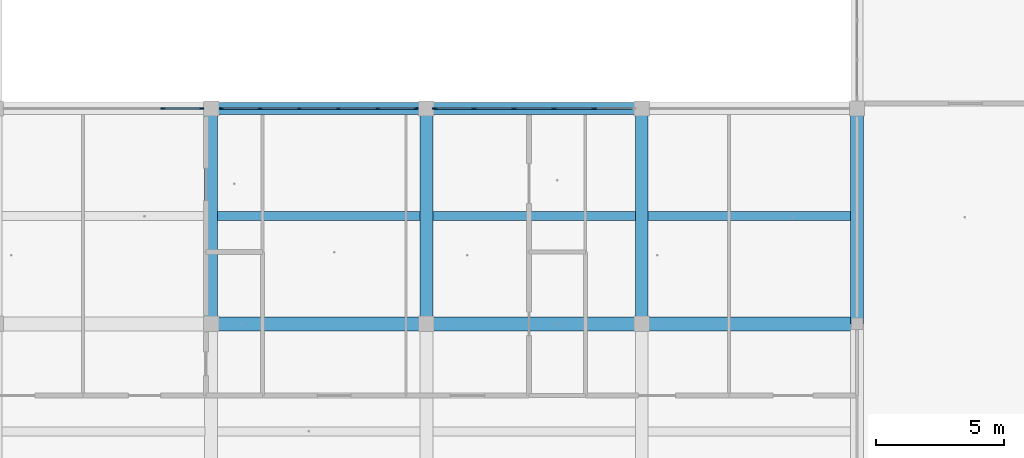
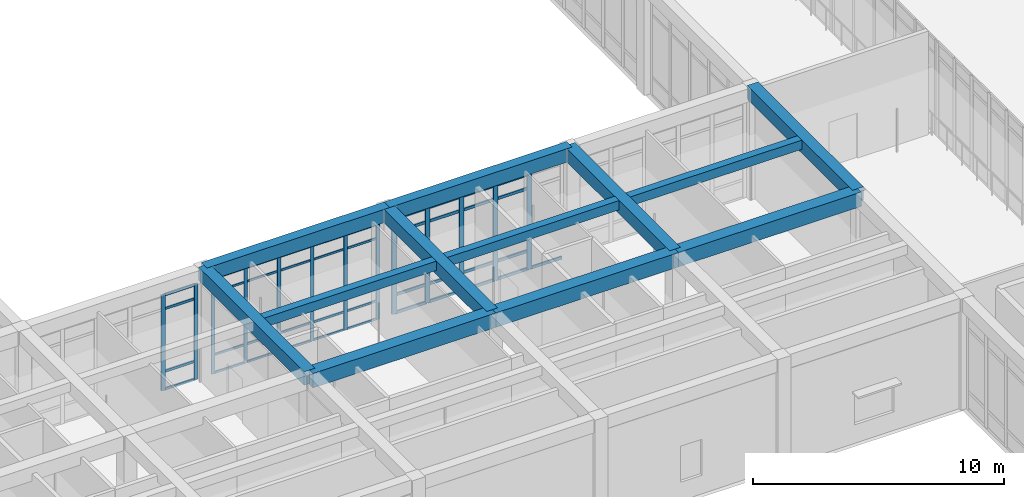
# One storey, part 12 of 157: 54 members, 12 beams, 3 elements without a shape of their own.
"""IFC4 building model written with IfcOpenShell, lengths in metres."""

from ifc_helpers import new_model, si_unit, direction, frame, origin, origin_2d, place, context, subcontext, project, spatial, rectangle, extrude, material, material_profile, profile_set, type_object, element, aggregate, save


model = new_model("IFC4")

# Units and contexts
model_context = context("Model", 3, precision=1e-05, world=origin(), true_north=direction((0.0, 1.0)))
body_context = subcontext(model_context, "Body", "Model", "MODEL_VIEW")
ifc_project = project(units=[si_unit("LENGTHUNIT", "METRE"), si_unit("AREAUNIT", "SQUARE_METRE"), si_unit("VOLUMEUNIT", "CUBIC_METRE"), si_unit("PLANEANGLEUNIT", "RADIAN"), si_unit("MASSUNIT", "GRAM", prefix="KILO")], contexts=[model_context])

# Site, building, storey
site_placement = place(None, origin())
site = spatial("IfcSite", under=ifc_project, at=site_placement, CompositionType="ELEMENT")
building_placement = place(site_placement, origin())
building = spatial("IfcBuilding", under=site, at=building_placement, Name="Varncliffe General Hospital", CompositionType="ELEMENT")
storey_placement = place(building_placement, frame((0.0, 0.0, 5.39990234375)))
storey = spatial("IfcBuildingStorey", under=building, at=storey_placement, Name="L01", CompositionType="ELEMENT", Elevation=5.39990234375)

# Beams
ifc_material_1 = material(Name="Concrete C35/45 (CSA A23.1 35 MPa)", Category="concrete")
ifc_material_profile_1 = material_profile(ifc_material_1, rectangle(XDim=0.5, YDim=0.64990234375, at=origin_2d()), Name="RC 500x650")
ifc_profile_set_1 = profile_set([ifc_material_profile_1], Name="Concrete C35/45 (CSA A23.1 35 MPa)")
beam_type_1 = type_object("IfcBeamType", Name="Beam B29 (Int RC 500x650)", PredefinedType="BEAM", material=ifc_profile_set_1)
for number, where, z_axis, x_axis, name in (
    (1, (33.60009765625, 32.39990234375, 5.0751953125), (0.0, 1.0, 0.0), (-1.0, 0.0, 0.0), "L01 Primary Beam B29-327"),
    (2, (42.0, 32.39990234375, 5.0751953125), (0.0, 1.0, 0.0), (-1.0, 0.0, 0.0), "L01 Primary Beam B29-336"),
    (3, (50.39990234375, 32.39990234375, 5.0751953125), (0.0, 1.0, 0.0), (-1.0, 0.0, 0.0), "L01 Primary Beam B29-345"),
    (4, (58.800048828125, 32.39990234375, 5.0751953125), (0.0, 1.0, 0.0), (-1.0, 0.0, 0.0), "L01 Primary Beam B29-356"),
):
    element("IfcBeam", number, at=place(storey_placement, frame(where, z_axis=z_axis, x_axis=x_axis)), inside=storey, type_object=beam_type_1, Name=name, PredefinedType="BEAM", context=body_context, shape_type="SweptSolid", body=[
        extrude(rectangle(XDim=0.5, YDim=0.64990234375, at=origin_2d()), origin(), (0.0, 0.0, 1.0), 8.400146484375),
    ])
ifc_material_profile_2 = material_profile(ifc_material_1, rectangle(XDim=0.550048828125, YDim=0.699951171875, at=origin_2d()), Name="RC 550x700")
ifc_profile_set_2 = profile_set([ifc_material_profile_2], Name="Concrete C35/45 (CSA A23.1 35 MPa)")
beam_type_2 = type_object("IfcBeamType", Name="Beam B35 (Int RC 550x700)", PredefinedType="BEAM", material=ifc_profile_set_2)
for number, where, z_axis, x_axis, name in (
    (5, (33.60009765625, 32.39990234375, 5.050048828125), (1.0, 0.0, 0.0), (0.0, 1.0, 0.0), "L01 Primary Beam B35-44"),
    (6, (42.0, 32.39990234375, 5.050048828125), (1.0, 0.0, 0.0), (0.0, 1.0, 0.0), "L01 Primary Beam B35-45"),
):
    element("IfcBeam", number, at=place(storey_placement, frame(where, z_axis=z_axis, x_axis=x_axis)), inside=storey, type_object=beam_type_2, Name=name, PredefinedType="BEAM", context=body_context, shape_type="SweptSolid", body=[
        extrude(rectangle(XDim=0.550048828125, YDim=0.699951171875, at=origin_2d()), origin(), (0.0, 0.0, 1.0), 8.39990234375),
    ])
beam_placement = place(storey_placement, frame((50.39990234375, 32.39990234375, 5.050048828125), z_axis=(1.0, 0.0, 0.0), x_axis=(0.0, 1.0, 0.0)))
element("IfcBeam", 7, at=beam_placement, inside=storey, type_object=beam_type_2, Name="L01 Primary Beam B35-46", PredefinedType="BEAM", context=body_context, shape_type="SweptSolid", body=[
    extrude(rectangle(XDim=0.550048828125, YDim=0.699951171875, at=origin_2d()), origin(), (0.0, 0.0, 1.0), 8.400146484375),
])

# Curtain wall, members
ifc_material_2 = material(Name="Triple low-E argon insulated vision glazing", Category="glass")
curtain_wall_type_1 = type_object("IfcCurtainWallType", Name="Unitised Glazed Curtain Wall CW70 (7724x4640)", PredefinedType="USERDEFINED", material=ifc_material_2)
curtain_wall_1_placement = place(storey_placement, origin())
curtain_wall_1 = element("IfcCurtainWall", 8, at=curtain_wall_1_placement, inside=storey, type_object=curtain_wall_type_1, Name="L01 Glazed Curtain Wall CW70-82", ObjectType="GLAZED CURTAIN WALL", PredefinedType="USERDEFINED")
ifc_material_3 = material(Name="Dark bronze thermally broken aluminium framing", Category="aluminium")
ifc_material_profile_3 = material_profile(ifc_material_3, rectangle(XDim=0.074951171875, YDim=0.179931640625, at=origin_2d()), Name="ALU 75x180")
ifc_profile_set_3 = profile_set([ifc_material_profile_3], Name="Dark bronze thermally broken aluminium framing")
member_type_1 = type_object("IfcMemberType", Name="Curtain Wall Mullion CM44 (ALU 75x180)", PredefinedType="MULLION", material=ifc_profile_set_3)
member_1_placement = place(storey_placement, frame((31.71728515625, 40.800048828125, 0.0), z_axis=(0.0, 0.0, 1.0), x_axis=(0.0, 1.0, 0.0)))
member_1 = element("IfcMember", 9, at=member_1_placement, type_object=member_type_1, Name="CW70 mullion 5", PredefinedType="MULLION", context=body_context, shape_type="SweptSolid", body=[
    extrude(rectangle(XDim=0.074951171875, YDim=0.179931640625, at=origin_2d()), origin(), (0.0, 0.0, 1.0), 4.64013671875),
])
member_2_placement = place(storey_placement, frame((33.224609375, 40.800048828125, 0.0), z_axis=(0.0, 0.0, 1.0), x_axis=(0.0, 1.0, 0.0)))
member_2 = element("IfcMember", 10, at=member_2_placement, type_object=member_type_1, Name="CW70 mullion 6", PredefinedType="MULLION", context=body_context, shape_type="SweptSolid", body=[
    extrude(rectangle(XDim=0.074951171875, YDim=0.179931640625, at=origin_2d()), origin(), (0.0, 0.0, 1.0), 4.64013671875),
])

curtain_wall_type_2 = type_object("IfcCurtainWallType", Name="Unitised Glazed Curtain Wall CW27 (7644x4640)", PredefinedType="USERDEFINED", material=ifc_material_2)
curtain_wall_2_placement = place(storey_placement, origin())
curtain_wall_2 = element("IfcCurtainWall", 11, at=curtain_wall_2_placement, inside=storey, type_object=curtain_wall_type_2, Name="L01 Glazed Curtain Wall CW27-83", ObjectType="GLAZED CURTAIN WALL", PredefinedType="USERDEFINED")
ifc_material_profile_4 = material_profile(ifc_material_3, rectangle(XDim=0.06494140625, YDim=0.159912109375, at=origin_2d()), Name="ALU 65x160")
ifc_profile_set_4 = profile_set([ifc_material_profile_4], Name="Dark bronze thermally broken aluminium framing")
member_type_2 = type_object("IfcMemberType", Name="Curtain Wall Mullion CM65 (ALU 65x160)", PredefinedType="MULLION", material=ifc_profile_set_4)
member_3_placement = place(storey_placement, frame((34.010498046875, 40.800048828125, 0.0), z_axis=(0.0, 0.0, 1.0), x_axis=(0.0, 1.0, 0.0)))
member_3 = element("IfcMember", 12, at=member_3_placement, type_object=member_type_2, Name="CW27 mullion 1", PredefinedType="MULLION", context=body_context, shape_type="SweptSolid", body=[
    extrude(rectangle(XDim=0.06494140625, YDim=0.159912109375, at=origin_2d()), origin(), (0.0, 0.0, 1.0), 4.64013671875),
])
member_4_placement = place(storey_placement, frame((35.5068359375, 40.800048828125, 0.0), z_axis=(0.0, 0.0, 1.0), x_axis=(0.0, 1.0, 0.0)))
member_4 = element("IfcMember", 13, at=member_4_placement, type_object=member_type_2, Name="CW27 mullion 2", PredefinedType="MULLION", context=body_context, shape_type="SweptSolid", body=[
    extrude(rectangle(XDim=0.06494140625, YDim=0.159912109375, at=origin_2d()), origin(), (0.0, 0.0, 1.0), 4.64013671875),
])
member_5_placement = place(storey_placement, frame((37.03564453125, 40.800048828125, 0.0), z_axis=(0.0, 0.0, 1.0), x_axis=(0.0, 1.0, 0.0)))
member_5 = element("IfcMember", 14, at=member_5_placement, type_object=member_type_2, Name="CW27 mullion 3", PredefinedType="MULLION", context=body_context, shape_type="SweptSolid", body=[
    extrude(rectangle(XDim=0.06494140625, YDim=0.159912109375, at=origin_2d()), origin(), (0.0, 0.0, 1.0), 4.64013671875),
])
member_6_placement = place(storey_placement, frame((38.564453125, 40.800048828125, 0.0), z_axis=(0.0, 0.0, 1.0), x_axis=(0.0, 1.0, 0.0)))
member_6 = element("IfcMember", 15, at=member_6_placement, type_object=member_type_2, Name="CW27 mullion 4", PredefinedType="MULLION", context=body_context, shape_type="SweptSolid", body=[
    extrude(rectangle(XDim=0.06494140625, YDim=0.159912109375, at=origin_2d()), origin(), (0.0, 0.0, 1.0), 4.64013671875),
])
member_7_placement = place(storey_placement, frame((40.09326171875, 40.800048828125, 0.0), z_axis=(0.0, 0.0, 1.0), x_axis=(0.0, 1.0, 0.0)))
member_7 = element("IfcMember", 16, at=member_7_placement, type_object=member_type_2, Name="CW27 mullion 5", PredefinedType="MULLION", context=body_context, shape_type="SweptSolid", body=[
    extrude(rectangle(XDim=0.06494140625, YDim=0.159912109375, at=origin_2d()), origin(), (0.0, 0.0, 1.0), 4.64013671875),
])
member_8_placement = place(storey_placement, frame((41.589599609375, 40.800048828125, 0.0), z_axis=(0.0, 0.0, 1.0), x_axis=(0.0, 1.0, 0.0)))
member_8 = element("IfcMember", 17, at=member_8_placement, type_object=member_type_2, Name="CW27 mullion 6", PredefinedType="MULLION", context=body_context, shape_type="SweptSolid", body=[
    extrude(rectangle(XDim=0.06494140625, YDim=0.159912109375, at=origin_2d()), origin(), (0.0, 0.0, 1.0), 4.64013671875),
])

curtain_wall_type_3 = type_object("IfcCurtainWallType", Name="Unitised Glazed Curtain Wall CW85 (7804x4640)", PredefinedType="USERDEFINED", material=ifc_material_2)
curtain_wall_3_placement = place(storey_placement, origin())
curtain_wall_3 = element("IfcCurtainWall", 18, at=curtain_wall_3_placement, inside=storey, type_object=curtain_wall_type_3, Name="L01 Glazed Curtain Wall CW85-84", ObjectType="GLAZED CURTAIN WALL", PredefinedType="USERDEFINED")
ifc_material_profile_5 = material_profile(ifc_material_3, rectangle(XDim=0.074951171875, YDim=0.219970703125, at=origin_2d()), Name="ALU 75x220")
ifc_profile_set_5 = profile_set([ifc_material_profile_5], Name="Dark bronze thermally broken aluminium framing")
member_type_3 = type_object("IfcMemberType", Name="Curtain Wall Mullion CM74 (ALU 75x220)", PredefinedType="MULLION", material=ifc_profile_set_5)
member_9_placement = place(storey_placement, frame((42.33544921875, 40.800048828125, 0.0), z_axis=(0.0, 0.0, 1.0), x_axis=(0.0, 1.0, 0.0)))
member_9 = element("IfcMember", 19, at=member_9_placement, type_object=member_type_3, Name="CW85 mullion 1", PredefinedType="MULLION", context=body_context, shape_type="SweptSolid", body=[
    extrude(rectangle(XDim=0.074951171875, YDim=0.219970703125, at=origin_2d()), origin(), (0.0, 0.0, 1.0), 4.64013671875),
])
member_10_placement = place(storey_placement, frame((43.85888671875, 40.800048828125, 0.0), z_axis=(0.0, 0.0, 1.0), x_axis=(0.0, 1.0, 0.0)))
member_10 = element("IfcMember", 20, at=member_10_placement, type_object=member_type_3, Name="CW85 mullion 2", PredefinedType="MULLION", context=body_context, shape_type="SweptSolid", body=[
    extrude(rectangle(XDim=0.074951171875, YDim=0.219970703125, at=origin_2d()), origin(), (0.0, 0.0, 1.0), 4.64013671875),
])
member_11_placement = place(storey_placement, frame((45.419677734375, 40.800048828125, 0.0), z_axis=(0.0, 0.0, 1.0), x_axis=(0.0, 1.0, 0.0)))
member_11 = element("IfcMember", 21, at=member_11_placement, type_object=member_type_3, Name="CW85 mullion 3", PredefinedType="MULLION", context=body_context, shape_type="SweptSolid", body=[
    extrude(rectangle(XDim=0.074951171875, YDim=0.219970703125, at=origin_2d()), origin(), (0.0, 0.0, 1.0), 4.64013671875),
])
member_12_placement = place(storey_placement, frame((46.98046875, 40.800048828125, 0.0), z_axis=(0.0, 0.0, 1.0), x_axis=(0.0, 1.0, 0.0)))
member_12 = element("IfcMember", 22, at=member_12_placement, type_object=member_type_3, Name="CW85 mullion 4", PredefinedType="MULLION", context=body_context, shape_type="SweptSolid", body=[
    extrude(rectangle(XDim=0.074951171875, YDim=0.219970703125, at=origin_2d()), origin(), (0.0, 0.0, 1.0), 4.64013671875),
])
member_13_placement = place(storey_placement, frame((48.541259765625, 40.800048828125, 0.0), z_axis=(0.0, 0.0, 1.0), x_axis=(0.0, 1.0, 0.0)))
member_13 = element("IfcMember", 23, at=member_13_placement, type_object=member_type_3, Name="CW85 mullion 5", PredefinedType="MULLION", context=body_context, shape_type="SweptSolid", body=[
    extrude(rectangle(XDim=0.074951171875, YDim=0.219970703125, at=origin_2d()), origin(), (0.0, 0.0, 1.0), 4.64013671875),
])

# Member
ifc_material_profile_6 = material_profile(ifc_material_3, rectangle(XDim=0.06005859375, YDim=0.1201171875, at=origin_2d()), Name="ALU 60x120")
ifc_profile_set_6 = profile_set([ifc_material_profile_6], Name="Dark bronze thermally broken aluminium framing")
member_type_4 = type_object("IfcMemberType", Name="Curtain Wall Transom CT14 (ALU 60x120)", PredefinedType="USERDEFINED", material=ifc_profile_set_6)
member_14_placement = place(storey_placement, frame((31.754638671875, 40.800048828125, 0.030029296875), z_axis=(1.0, 0.0, 0.0), x_axis=(0.0, 1.0, 0.0)))
member_14 = element("IfcMember", 24, at=member_14_placement, type_object=member_type_4, Name="CW70 transom 5.1", ObjectType="TRANSOM", PredefinedType="USERDEFINED", context=body_context, shape_type="SweptSolid", body=[
    extrude(rectangle(XDim=0.06005859375, YDim=0.1201171875, at=origin_2d()), origin(), (0.0, 0.0, 1.0), 1.432373046875),
])

member_15_placement = place(storey_placement, frame((31.754638671875, 40.800048828125, 0.900146484375), z_axis=(1.0, 0.0, 0.0), x_axis=(0.0, 1.0, 0.0)))
member_15 = element("IfcMember", 25, at=member_15_placement, type_object=member_type_4, Name="CW70 transom 5.2", ObjectType="TRANSOM", PredefinedType="USERDEFINED", context=body_context, shape_type="SweptSolid", body=[
    extrude(rectangle(XDim=0.06005859375, YDim=0.1201171875, at=origin_2d()), origin(), (0.0, 0.0, 1.0), 1.432373046875),
])

member_16_placement = place(storey_placement, frame((31.754638671875, 40.800048828125, 3.940185546875), z_axis=(1.0, 0.0, 0.0), x_axis=(0.0, 1.0, 0.0)))
member_16 = element("IfcMember", 26, at=member_16_placement, type_object=member_type_4, Name="CW70 transom 5.3", ObjectType="TRANSOM", PredefinedType="USERDEFINED", context=body_context, shape_type="SweptSolid", body=[
    extrude(rectangle(XDim=0.06005859375, YDim=0.1201171875, at=origin_2d()), origin(), (0.0, 0.0, 1.0), 1.432373046875),
])

member_17_placement = place(storey_placement, frame((31.754638671875, 40.800048828125, 4.610107421875), z_axis=(1.0, 0.0, 0.0), x_axis=(0.0, 1.0, 0.0)))
member_17 = element("IfcMember", 27, at=member_17_placement, type_object=member_type_4, Name="CW70 transom 5.4", ObjectType="TRANSOM", PredefinedType="USERDEFINED", context=body_context, shape_type="SweptSolid", body=[
    extrude(rectangle(XDim=0.06005859375, YDim=0.1201171875, at=origin_2d()), origin(), (0.0, 0.0, 1.0), 1.432373046875),
])

aggregate(curtain_wall_1, [member_1, member_2, member_14, member_15, member_16, member_17])

ifc_material_profile_7 = material_profile(ifc_material_3, rectangle(XDim=0.06005859375, YDim=0.10009765625, at=origin_2d()), Name="ALU 60x100")
ifc_profile_set_7 = profile_set([ifc_material_profile_7], Name="Dark bronze thermally broken aluminium framing")
member_type_5 = type_object("IfcMemberType", Name="Curtain Wall Transom CT18 (ALU 60x100)", PredefinedType="USERDEFINED", material=ifc_profile_set_7)
member_18_placement = place(storey_placement, frame((34.04296875, 40.800048828125, 0.030029296875), z_axis=(1.0, 0.0, 0.0), x_axis=(0.0, 1.0, 0.0)))
member_18 = element("IfcMember", 28, at=member_18_placement, type_object=member_type_5, Name="CW27 transom 1.1", ObjectType="TRANSOM", PredefinedType="USERDEFINED", context=body_context, shape_type="SweptSolid", body=[
    extrude(rectangle(XDim=0.06005859375, YDim=0.10009765625, at=origin_2d()), origin(), (0.0, 0.0, 1.0), 1.431396484375),
])

member_19_placement = place(storey_placement, frame((34.04296875, 40.800048828125, 0.900146484375), z_axis=(1.0, 0.0, 0.0), x_axis=(0.0, 1.0, 0.0)))
member_19 = element("IfcMember", 29, at=member_19_placement, type_object=member_type_5, Name="CW27 transom 1.2", ObjectType="TRANSOM", PredefinedType="USERDEFINED", context=body_context, shape_type="SweptSolid", body=[
    extrude(rectangle(XDim=0.06005859375, YDim=0.10009765625, at=origin_2d()), origin(), (0.0, 0.0, 1.0), 1.431396484375),
])

member_20_placement = place(storey_placement, frame((34.04296875, 40.800048828125, 3.940185546875), z_axis=(1.0, 0.0, 0.0), x_axis=(0.0, 1.0, 0.0)))
member_20 = element("IfcMember", 30, at=member_20_placement, type_object=member_type_5, Name="CW27 transom 1.3", ObjectType="TRANSOM", PredefinedType="USERDEFINED", context=body_context, shape_type="SweptSolid", body=[
    extrude(rectangle(XDim=0.06005859375, YDim=0.10009765625, at=origin_2d()), origin(), (0.0, 0.0, 1.0), 1.431396484375),
])

member_21_placement = place(storey_placement, frame((34.04296875, 40.800048828125, 4.610107421875), z_axis=(1.0, 0.0, 0.0), x_axis=(0.0, 1.0, 0.0)))
member_21 = element("IfcMember", 31, at=member_21_placement, type_object=member_type_5, Name="CW27 transom 1.4", ObjectType="TRANSOM", PredefinedType="USERDEFINED", context=body_context, shape_type="SweptSolid", body=[
    extrude(rectangle(XDim=0.06005859375, YDim=0.10009765625, at=origin_2d()), origin(), (0.0, 0.0, 1.0), 1.431396484375),
])

member_22_placement = place(storey_placement, frame((35.539306640625, 40.800048828125, 0.030029296875), z_axis=(1.0, 0.0, 0.0), x_axis=(0.0, 1.0, 0.0)))
member_22 = element("IfcMember", 32, at=member_22_placement, type_object=member_type_5, Name="CW27 transom 2.1", ObjectType="TRANSOM", PredefinedType="USERDEFINED", context=body_context, shape_type="SweptSolid", body=[
    extrude(rectangle(XDim=0.06005859375, YDim=0.10009765625, at=origin_2d()), origin(), (0.0, 0.0, 1.0), 1.4638671875),
])

member_23_placement = place(storey_placement, frame((35.539306640625, 40.800048828125, 0.900146484375), z_axis=(1.0, 0.0, 0.0), x_axis=(0.0, 1.0, 0.0)))
member_23 = element("IfcMember", 33, at=member_23_placement, type_object=member_type_5, Name="CW27 transom 2.2", ObjectType="TRANSOM", PredefinedType="USERDEFINED", context=body_context, shape_type="SweptSolid", body=[
    extrude(rectangle(XDim=0.06005859375, YDim=0.10009765625, at=origin_2d()), origin(), (0.0, 0.0, 1.0), 1.4638671875),
])

member_24_placement = place(storey_placement, frame((35.539306640625, 40.800048828125, 3.940185546875), z_axis=(1.0, 0.0, 0.0), x_axis=(0.0, 1.0, 0.0)))
member_24 = element("IfcMember", 34, at=member_24_placement, type_object=member_type_5, Name="CW27 transom 2.3", ObjectType="TRANSOM", PredefinedType="USERDEFINED", context=body_context, shape_type="SweptSolid", body=[
    extrude(rectangle(XDim=0.06005859375, YDim=0.10009765625, at=origin_2d()), origin(), (0.0, 0.0, 1.0), 1.4638671875),
])

member_25_placement = place(storey_placement, frame((35.539306640625, 40.800048828125, 4.610107421875), z_axis=(1.0, 0.0, 0.0), x_axis=(0.0, 1.0, 0.0)))
member_25 = element("IfcMember", 35, at=member_25_placement, type_object=member_type_5, Name="CW27 transom 2.4", ObjectType="TRANSOM", PredefinedType="USERDEFINED", context=body_context, shape_type="SweptSolid", body=[
    extrude(rectangle(XDim=0.06005859375, YDim=0.10009765625, at=origin_2d()), origin(), (0.0, 0.0, 1.0), 1.4638671875),
])

member_26_placement = place(storey_placement, frame((37.068115234375, 40.800048828125, 0.030029296875), z_axis=(1.0, 0.0, 0.0), x_axis=(0.0, 1.0, 0.0)))
member_26 = element("IfcMember", 36, at=member_26_placement, type_object=member_type_5, Name="CW27 transom 3.1", ObjectType="TRANSOM", PredefinedType="USERDEFINED", context=body_context, shape_type="SweptSolid", body=[
    extrude(rectangle(XDim=0.06005859375, YDim=0.10009765625, at=origin_2d()), origin(), (0.0, 0.0, 1.0), 1.4638671875),
])

member_27_placement = place(storey_placement, frame((37.068115234375, 40.800048828125, 0.900146484375), z_axis=(1.0, 0.0, 0.0), x_axis=(0.0, 1.0, 0.0)))
member_27 = element("IfcMember", 37, at=member_27_placement, type_object=member_type_5, Name="CW27 transom 3.2", ObjectType="TRANSOM", PredefinedType="USERDEFINED", context=body_context, shape_type="SweptSolid", body=[
    extrude(rectangle(XDim=0.06005859375, YDim=0.10009765625, at=origin_2d()), origin(), (0.0, 0.0, 1.0), 1.4638671875),
])

member_28_placement = place(storey_placement, frame((37.068115234375, 40.800048828125, 3.940185546875), z_axis=(1.0, 0.0, 0.0), x_axis=(0.0, 1.0, 0.0)))
member_28 = element("IfcMember", 38, at=member_28_placement, type_object=member_type_5, Name="CW27 transom 3.3", ObjectType="TRANSOM", PredefinedType="USERDEFINED", context=body_context, shape_type="SweptSolid", body=[
    extrude(rectangle(XDim=0.06005859375, YDim=0.10009765625, at=origin_2d()), origin(), (0.0, 0.0, 1.0), 1.4638671875),
])

member_29_placement = place(storey_placement, frame((37.068115234375, 40.800048828125, 4.610107421875), z_axis=(1.0, 0.0, 0.0), x_axis=(0.0, 1.0, 0.0)))
member_29 = element("IfcMember", 39, at=member_29_placement, type_object=member_type_5, Name="CW27 transom 3.4", ObjectType="TRANSOM", PredefinedType="USERDEFINED", context=body_context, shape_type="SweptSolid", body=[
    extrude(rectangle(XDim=0.06005859375, YDim=0.10009765625, at=origin_2d()), origin(), (0.0, 0.0, 1.0), 1.4638671875),
])

member_30_placement = place(storey_placement, frame((38.596923828125, 40.800048828125, 0.030029296875), z_axis=(1.0, 0.0, 0.0), x_axis=(0.0, 1.0, 0.0)))
member_30 = element("IfcMember", 40, at=member_30_placement, type_object=member_type_5, Name="CW27 transom 4.1", ObjectType="TRANSOM", PredefinedType="USERDEFINED", context=body_context, shape_type="SweptSolid", body=[
    extrude(rectangle(XDim=0.06005859375, YDim=0.10009765625, at=origin_2d()), origin(), (0.0, 0.0, 1.0), 1.4638671875),
])

member_31_placement = place(storey_placement, frame((38.596923828125, 40.800048828125, 0.900146484375), z_axis=(1.0, 0.0, 0.0), x_axis=(0.0, 1.0, 0.0)))
member_31 = element("IfcMember", 41, at=member_31_placement, type_object=member_type_5, Name="CW27 transom 4.2", ObjectType="TRANSOM", PredefinedType="USERDEFINED", context=body_context, shape_type="SweptSolid", body=[
    extrude(rectangle(XDim=0.06005859375, YDim=0.10009765625, at=origin_2d()), origin(), (0.0, 0.0, 1.0), 1.4638671875),
])

member_32_placement = place(storey_placement, frame((38.596923828125, 40.800048828125, 3.940185546875), z_axis=(1.0, 0.0, 0.0), x_axis=(0.0, 1.0, 0.0)))
member_32 = element("IfcMember", 42, at=member_32_placement, type_object=member_type_5, Name="CW27 transom 4.3", ObjectType="TRANSOM", PredefinedType="USERDEFINED", context=body_context, shape_type="SweptSolid", body=[
    extrude(rectangle(XDim=0.06005859375, YDim=0.10009765625, at=origin_2d()), origin(), (0.0, 0.0, 1.0), 1.4638671875),
])

member_33_placement = place(storey_placement, frame((38.596923828125, 40.800048828125, 4.610107421875), z_axis=(1.0, 0.0, 0.0), x_axis=(0.0, 1.0, 0.0)))
member_33 = element("IfcMember", 43, at=member_33_placement, type_object=member_type_5, Name="CW27 transom 4.4", ObjectType="TRANSOM", PredefinedType="USERDEFINED", context=body_context, shape_type="SweptSolid", body=[
    extrude(rectangle(XDim=0.06005859375, YDim=0.10009765625, at=origin_2d()), origin(), (0.0, 0.0, 1.0), 1.4638671875),
])

member_34_placement = place(storey_placement, frame((40.125732421875, 40.800048828125, 0.030029296875), z_axis=(1.0, 0.0, 0.0), x_axis=(0.0, 1.0, 0.0)))
member_34 = element("IfcMember", 44, at=member_34_placement, type_object=member_type_5, Name="CW27 transom 5.1", ObjectType="TRANSOM", PredefinedType="USERDEFINED", context=body_context, shape_type="SweptSolid", body=[
    extrude(rectangle(XDim=0.06005859375, YDim=0.10009765625, at=origin_2d()), origin(), (0.0, 0.0, 1.0), 1.43115234375),
])

member_35_placement = place(storey_placement, frame((40.125732421875, 40.800048828125, 0.900146484375), z_axis=(1.0, 0.0, 0.0), x_axis=(0.0, 1.0, 0.0)))
member_35 = element("IfcMember", 45, at=member_35_placement, type_object=member_type_5, Name="CW27 transom 5.2", ObjectType="TRANSOM", PredefinedType="USERDEFINED", context=body_context, shape_type="SweptSolid", body=[
    extrude(rectangle(XDim=0.06005859375, YDim=0.10009765625, at=origin_2d()), origin(), (0.0, 0.0, 1.0), 1.43115234375),
])

member_36_placement = place(storey_placement, frame((40.125732421875, 40.800048828125, 3.940185546875), z_axis=(1.0, 0.0, 0.0), x_axis=(0.0, 1.0, 0.0)))
member_36 = element("IfcMember", 46, at=member_36_placement, type_object=member_type_5, Name="CW27 transom 5.3", ObjectType="TRANSOM", PredefinedType="USERDEFINED", context=body_context, shape_type="SweptSolid", body=[
    extrude(rectangle(XDim=0.06005859375, YDim=0.10009765625, at=origin_2d()), origin(), (0.0, 0.0, 1.0), 1.43115234375),
])

member_37_placement = place(storey_placement, frame((40.125732421875, 40.800048828125, 4.610107421875), z_axis=(1.0, 0.0, 0.0), x_axis=(0.0, 1.0, 0.0)))
member_37 = element("IfcMember", 47, at=member_37_placement, type_object=member_type_5, Name="CW27 transom 5.4", ObjectType="TRANSOM", PredefinedType="USERDEFINED", context=body_context, shape_type="SweptSolid", body=[
    extrude(rectangle(XDim=0.06005859375, YDim=0.10009765625, at=origin_2d()), origin(), (0.0, 0.0, 1.0), 1.43115234375),
])

aggregate(curtain_wall_2, [member_3, member_4, member_5, member_6, member_7, member_8, member_18, member_19, member_20, member_21, member_22, member_23, member_24, member_25, member_26, member_27, member_28, member_29, member_30, member_31, member_32, member_33, member_34, member_35, member_36, member_37])

ifc_material_profile_8 = material_profile(ifc_material_3, rectangle(XDim=0.06494140625, YDim=0.139892578125, at=origin_2d()), Name="ALU 65x140")
ifc_profile_set_8 = profile_set([ifc_material_profile_8], Name="Dark bronze thermally broken aluminium framing")
member_type_6 = type_object("IfcMemberType", Name="Curtain Wall Transom CT69 (ALU 65x140)", PredefinedType="USERDEFINED", material=ifc_profile_set_8)
member_38_placement = place(storey_placement, frame((42.373046875, 40.800048828125, 0.03271484375), z_axis=(1.0, 0.0, 0.0), x_axis=(0.0, 1.0, 0.0)))
member_38 = element("IfcMember", 48, at=member_38_placement, type_object=member_type_6, Name="CW85 transom 1.1", ObjectType="TRANSOM", PredefinedType="USERDEFINED", context=body_context, shape_type="SweptSolid", body=[
    extrude(rectangle(XDim=0.06494140625, YDim=0.139892578125, at=origin_2d()), origin(), (0.0, 0.0, 1.0), 1.4482421875),
])

member_39_placement = place(storey_placement, frame((42.373046875, 40.800048828125, 0.900146484375), z_axis=(1.0, 0.0, 0.0), x_axis=(0.0, 1.0, 0.0)))
member_39 = element("IfcMember", 49, at=member_39_placement, type_object=member_type_6, Name="CW85 transom 1.2", ObjectType="TRANSOM", PredefinedType="USERDEFINED", context=body_context, shape_type="SweptSolid", body=[
    extrude(rectangle(XDim=0.06494140625, YDim=0.139892578125, at=origin_2d()), origin(), (0.0, 0.0, 1.0), 1.4482421875),
])

member_40_placement = place(storey_placement, frame((42.373046875, 40.800048828125, 3.940185546875), z_axis=(1.0, 0.0, 0.0), x_axis=(0.0, 1.0, 0.0)))
member_40 = element("IfcMember", 50, at=member_40_placement, type_object=member_type_6, Name="CW85 transom 1.3", ObjectType="TRANSOM", PredefinedType="USERDEFINED", context=body_context, shape_type="SweptSolid", body=[
    extrude(rectangle(XDim=0.06494140625, YDim=0.139892578125, at=origin_2d()), origin(), (0.0, 0.0, 1.0), 1.4482421875),
])

member_41_placement = place(storey_placement, frame((42.373046875, 40.800048828125, 4.607666015625), z_axis=(1.0, 0.0, 0.0), x_axis=(0.0, 1.0, 0.0)))
member_41 = element("IfcMember", 51, at=member_41_placement, type_object=member_type_6, Name="CW85 transom 1.4", ObjectType="TRANSOM", PredefinedType="USERDEFINED", context=body_context, shape_type="SweptSolid", body=[
    extrude(rectangle(XDim=0.06494140625, YDim=0.139892578125, at=origin_2d()), origin(), (0.0, 0.0, 1.0), 1.4482421875),
])

member_42_placement = place(storey_placement, frame((43.896240234375, 40.800048828125, 0.03271484375), z_axis=(1.0, 0.0, 0.0), x_axis=(0.0, 1.0, 0.0)))
member_42 = element("IfcMember", 52, at=member_42_placement, type_object=member_type_6, Name="CW85 transom 2.1", ObjectType="TRANSOM", PredefinedType="USERDEFINED", context=body_context, shape_type="SweptSolid", body=[
    extrude(rectangle(XDim=0.06494140625, YDim=0.139892578125, at=origin_2d()), origin(), (0.0, 0.0, 1.0), 1.48583984375),
])

member_43_placement = place(storey_placement, frame((43.896240234375, 40.800048828125, 0.900146484375), z_axis=(1.0, 0.0, 0.0), x_axis=(0.0, 1.0, 0.0)))
member_43 = element("IfcMember", 53, at=member_43_placement, type_object=member_type_6, Name="CW85 transom 2.2", ObjectType="TRANSOM", PredefinedType="USERDEFINED", context=body_context, shape_type="SweptSolid", body=[
    extrude(rectangle(XDim=0.06494140625, YDim=0.139892578125, at=origin_2d()), origin(), (0.0, 0.0, 1.0), 1.48583984375),
])

member_44_placement = place(storey_placement, frame((43.896240234375, 40.800048828125, 3.940185546875), z_axis=(1.0, 0.0, 0.0), x_axis=(0.0, 1.0, 0.0)))
member_44 = element("IfcMember", 54, at=member_44_placement, type_object=member_type_6, Name="CW85 transom 2.3", ObjectType="TRANSOM", PredefinedType="USERDEFINED", context=body_context, shape_type="SweptSolid", body=[
    extrude(rectangle(XDim=0.06494140625, YDim=0.139892578125, at=origin_2d()), origin(), (0.0, 0.0, 1.0), 1.48583984375),
])

member_45_placement = place(storey_placement, frame((43.896240234375, 40.800048828125, 4.607666015625), z_axis=(1.0, 0.0, 0.0), x_axis=(0.0, 1.0, 0.0)))
member_45 = element("IfcMember", 55, at=member_45_placement, type_object=member_type_6, Name="CW85 transom 2.4", ObjectType="TRANSOM", PredefinedType="USERDEFINED", context=body_context, shape_type="SweptSolid", body=[
    extrude(rectangle(XDim=0.06494140625, YDim=0.139892578125, at=origin_2d()), origin(), (0.0, 0.0, 1.0), 1.48583984375),
])

member_46_placement = place(storey_placement, frame((45.45703125, 40.800048828125, 0.03271484375), z_axis=(1.0, 0.0, 0.0), x_axis=(0.0, 1.0, 0.0)))
member_46 = element("IfcMember", 56, at=member_46_placement, type_object=member_type_6, Name="CW85 transom 3.1", ObjectType="TRANSOM", PredefinedType="USERDEFINED", context=body_context, shape_type="SweptSolid", body=[
    extrude(rectangle(XDim=0.06494140625, YDim=0.139892578125, at=origin_2d()), origin(), (0.0, 0.0, 1.0), 1.48583984375),
])

member_47_placement = place(storey_placement, frame((45.45703125, 40.800048828125, 0.900146484375), z_axis=(1.0, 0.0, 0.0), x_axis=(0.0, 1.0, 0.0)))
member_47 = element("IfcMember", 57, at=member_47_placement, type_object=member_type_6, Name="CW85 transom 3.2", ObjectType="TRANSOM", PredefinedType="USERDEFINED", context=body_context, shape_type="SweptSolid", body=[
    extrude(rectangle(XDim=0.06494140625, YDim=0.139892578125, at=origin_2d()), origin(), (0.0, 0.0, 1.0), 1.48583984375),
])

member_48_placement = place(storey_placement, frame((45.45703125, 40.800048828125, 3.940185546875), z_axis=(1.0, 0.0, 0.0), x_axis=(0.0, 1.0, 0.0)))
member_48 = element("IfcMember", 58, at=member_48_placement, type_object=member_type_6, Name="CW85 transom 3.3", ObjectType="TRANSOM", PredefinedType="USERDEFINED", context=body_context, shape_type="SweptSolid", body=[
    extrude(rectangle(XDim=0.06494140625, YDim=0.139892578125, at=origin_2d()), origin(), (0.0, 0.0, 1.0), 1.48583984375),
])

member_49_placement = place(storey_placement, frame((45.45703125, 40.800048828125, 4.607666015625), z_axis=(1.0, 0.0, 0.0), x_axis=(0.0, 1.0, 0.0)))
member_49 = element("IfcMember", 59, at=member_49_placement, type_object=member_type_6, Name="CW85 transom 3.4", ObjectType="TRANSOM", PredefinedType="USERDEFINED", context=body_context, shape_type="SweptSolid", body=[
    extrude(rectangle(XDim=0.06494140625, YDim=0.139892578125, at=origin_2d()), origin(), (0.0, 0.0, 1.0), 1.48583984375),
])

member_50_placement = place(storey_placement, frame((47.017822265625, 40.800048828125, 0.03271484375), z_axis=(1.0, 0.0, 0.0), x_axis=(0.0, 1.0, 0.0)))
member_50 = element("IfcMember", 60, at=member_50_placement, type_object=member_type_6, Name="CW85 transom 4.1", ObjectType="TRANSOM", PredefinedType="USERDEFINED", context=body_context, shape_type="SweptSolid", body=[
    extrude(rectangle(XDim=0.06494140625, YDim=0.139892578125, at=origin_2d()), origin(), (0.0, 0.0, 1.0), 1.48583984375),
])

member_51_placement = place(storey_placement, frame((47.017822265625, 40.800048828125, 0.900146484375), z_axis=(1.0, 0.0, 0.0), x_axis=(0.0, 1.0, 0.0)))
member_51 = element("IfcMember", 61, at=member_51_placement, type_object=member_type_6, Name="CW85 transom 4.2", ObjectType="TRANSOM", PredefinedType="USERDEFINED", context=body_context, shape_type="SweptSolid", body=[
    extrude(rectangle(XDim=0.06494140625, YDim=0.139892578125, at=origin_2d()), origin(), (0.0, 0.0, 1.0), 1.48583984375),
])

member_52_placement = place(storey_placement, frame((47.017822265625, 40.800048828125, 3.940185546875), z_axis=(1.0, 0.0, 0.0), x_axis=(0.0, 1.0, 0.0)))
member_52 = element("IfcMember", 62, at=member_52_placement, type_object=member_type_6, Name="CW85 transom 4.3", ObjectType="TRANSOM", PredefinedType="USERDEFINED", context=body_context, shape_type="SweptSolid", body=[
    extrude(rectangle(XDim=0.06494140625, YDim=0.139892578125, at=origin_2d()), origin(), (0.0, 0.0, 1.0), 1.48583984375),
])

member_53_placement = place(storey_placement, frame((47.017822265625, 40.800048828125, 4.607666015625), z_axis=(1.0, 0.0, 0.0), x_axis=(0.0, 1.0, 0.0)))
member_53 = element("IfcMember", 63, at=member_53_placement, type_object=member_type_6, Name="CW85 transom 4.4", ObjectType="TRANSOM", PredefinedType="USERDEFINED", context=body_context, shape_type="SweptSolid", body=[
    extrude(rectangle(XDim=0.06494140625, YDim=0.139892578125, at=origin_2d()), origin(), (0.0, 0.0, 1.0), 1.48583984375),
])

member_54_placement = place(storey_placement, frame((48.57861328125, 40.800048828125, 0.03271484375), z_axis=(1.0, 0.0, 0.0), x_axis=(0.0, 1.0, 0.0)))
member_54 = element("IfcMember", 64, at=member_54_placement, type_object=member_type_6, Name="CW85 transom 5.1", ObjectType="TRANSOM", PredefinedType="USERDEFINED", context=body_context, shape_type="SweptSolid", body=[
    extrude(rectangle(XDim=0.06494140625, YDim=0.139892578125, at=origin_2d()), origin(), (0.0, 0.0, 1.0), 1.448486328125),
])

aggregate(curtain_wall_3, [member_9, member_10, member_11, member_12, member_13, member_38, member_39, member_40, member_41, member_42, member_43, member_44, member_45, member_46, member_47, member_48, member_49, member_50, member_51, member_52, member_53, member_54])

# Beams
ifc_material_profile_9 = material_profile(ifc_material_1, rectangle(XDim=0.35009765625, YDim=0.449951171875, at=origin_2d()), Name="RC 350x450")
ifc_profile_set_9 = profile_set([ifc_material_profile_9], Name="Concrete C35/45 (CSA A23.1 35 MPa)")
beam_type_3 = type_object("IfcBeamType", Name="Joist J55 (Int RC 350x450)", PredefinedType="JOIST", material=ifc_profile_set_9)
for number, where, z_axis, x_axis, name in (
    (65, (33.847900390625, 36.60009765625, 5.175048828125), (1.0, 0.0, 0.0), (0.0, 1.0, 0.0), "L01 Secondary Floor Rib J55-20"),
    (66, (42.248046875, 36.60009765625, 5.175048828125), (1.0, 0.0, 0.0), (0.0, 1.0, 0.0), "L01 Secondary Floor Rib J55-23"),
    (67, (50.64794921875, 36.60009765625, 5.175048828125), (1.0, 0.0, 0.0), (0.0, 1.0, 0.0), "L01 Secondary Floor Rib J55-27"),
):
    element("IfcBeam", number, at=place(storey_placement, frame(where, z_axis=z_axis, x_axis=x_axis)), inside=storey, type_object=beam_type_3, Name=name, PredefinedType="JOIST", context=body_context, shape_type="SweptSolid", body=[
        extrude(rectangle(XDim=0.35009765625, YDim=0.449951171875, at=origin_2d()), origin(), (0.0, 0.0, 1.0), 7.904052734375),
    ])
ifc_material_profile_10 = material_profile(ifc_material_1, rectangle(XDim=0.449951171875, YDim=0.64990234375, at=origin_2d()), Name="RC 450x650")
ifc_profile_set_10 = profile_set([ifc_material_profile_10], Name="Concrete C35/45 (CSA A23.1 35 MPa)")
beam_type_4 = type_object("IfcBeamType", Name="Spandrel SP38 (Ext RC 450x650B)", PredefinedType="SPANDREL", material=ifc_profile_set_10)
for number, where, z_axis, x_axis, name in (
    (68, (33.60009765625, 40.800048828125, 5.0751953125), (1.0, 0.0, 0.0), (0.0, 1.0, 0.0), "L01 Spandrel Beam SP38-57"),
    (69, (42.0, 40.800048828125, 5.0751953125), (1.0, 0.0, 0.0), (0.0, 1.0, 0.0), "L01 Spandrel Beam SP38-58"),
):
    element("IfcBeam", number, at=place(storey_placement, frame(where, z_axis=z_axis, x_axis=x_axis)), inside=storey, type_object=beam_type_4, Name=name, PredefinedType="SPANDREL", context=body_context, shape_type="SweptSolid", body=[
        extrude(rectangle(XDim=0.449951171875, YDim=0.64990234375, at=origin_2d()), origin(), (0.0, 0.0, 1.0), 8.39990234375),
    ])

save(model, "model.ifc")
